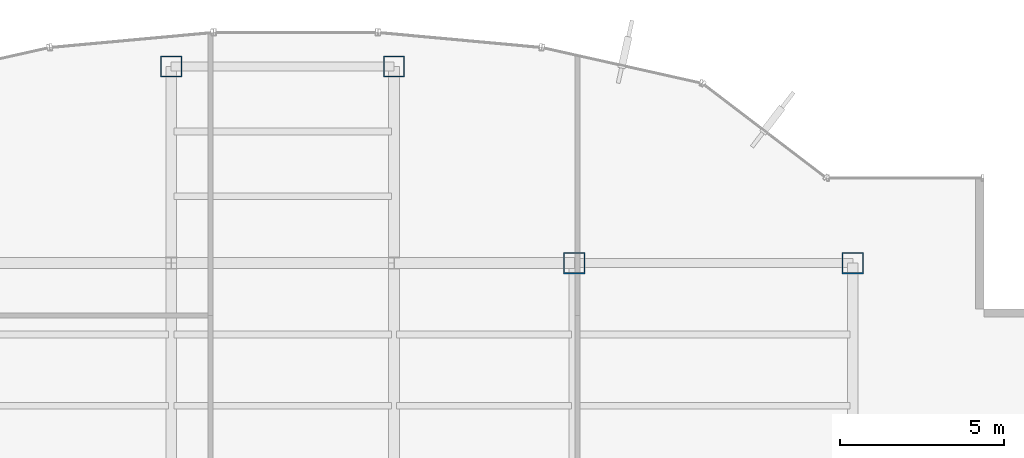
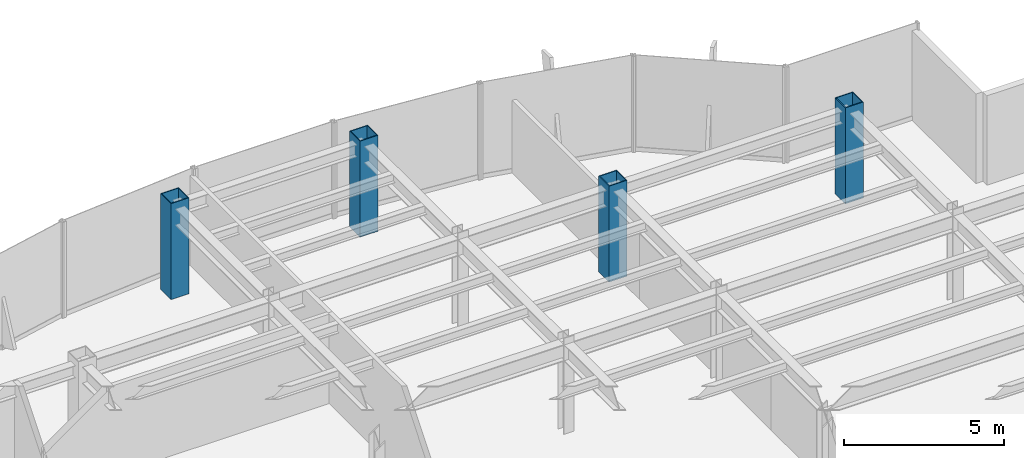
# One storey, part 2 of 25: 4 columns.
"""IFC4 building model written with IfcOpenShell, lengths in metres."""

from ifc_helpers import new_model, si_unit, derived_unit, direction, frame, origin, origin_2d, place, context, subcontext, project, spatial, hollow_rectangle, extrude, source, transform, mapped, material, material_profile, profile_set, type_object, element, save


model = new_model("IFC4")

# Units and contexts
model_context = context("Model", 3, precision=1e-05, world=origin(), true_north=direction((0.0, 1.0)))
body_context = subcontext(model_context, "Body", "Model", "MODEL_VIEW")
ifc_project = project(units=[si_unit("LENGTHUNIT", "METRE"), si_unit("AREAUNIT", "SQUARE_METRE"), si_unit("VOLUMEUNIT", "CUBIC_METRE"), si_unit("PLANEANGLEUNIT", "RADIAN"), si_unit("MASSUNIT", "GRAM", prefix="KILO"), derived_unit("THERMALTRANSMITTANCEUNIT", [(si_unit("POWERUNIT", "WATT"), 1), (si_unit("LENGTHUNIT", "METRE"), -2), (si_unit("THERMODYNAMICTEMPERATUREUNIT", "KELVIN"), -1)])], contexts=[model_context])

# Site, building, storey
site_placement = place(None, origin())
site = spatial("IfcSite", under=ifc_project, at=site_placement, CompositionType="ELEMENT")
building_placement = place(site_placement, origin())
building = spatial("IfcBuilding", under=site, at=building_placement, Name="Skarnbrae Concourse Arena and Tower", CompositionType="ELEMENT")
storey_placement = place(building_placement, frame((0.0, 0.0, 169.800048828125)))
storey = spatial("IfcBuildingStorey", under=building, at=storey_placement, Name="L43", CompositionType="ELEMENT", Elevation=169.800048828125)

# Columns
ifc_material = material(Name="Steel CSA G40.21 350W", Category="steel")
ifc_material_profile = material_profile(ifc_material, hollow_rectangle(XDim=0.64990234375, YDim=0.64990234375, WallThickness=0.031982421875, at=origin_2d()), Name="BOX650X650X32")
ifc_profile_set = profile_set([ifc_material_profile], Name="Steel CSA G40.21 350W")
column_type = type_object("IfcColumnType", Name="COL-TUBE-BOX650", PredefinedType="COLUMN", material=ifc_profile_set)
shared_shape = source(origin(), body_context, "Body", "SweptSolid", [
    extrude(hollow_rectangle(XDim=0.64990234375, YDim=0.64990234375, WallThickness=0.031982421875, at=origin_2d()), origin(), (0.0, 0.0, 1.0), 3.64990234375),
])
for number, where, z_axis, x_axis, name in (
    (1, (21.199951171875, 40.39990234375, 0.0), (0.0, 0.0, 1.0), (1.0, 0.0, 0.0), "L43 Tower column PC_04_06"),
    (2, (28.0, 40.39990234375, 0.0), (0.0, 0.0, 1.0), (1.0, 0.0, 0.0), "L43 Tower column PC_05_06"),
    (3, (33.5, 34.39990234375, 0.0), (0.0, 0.0, 1.0), (1.0, 0.0, 0.0), "L43 Tower column PC_06_05"),
    (4, (42.0, 34.39990234375, 0.0), (0.0, 0.0, 1.0), (1.0, 0.0, 0.0), "L43 Tower column PC_07_05"),
):
    element("IfcColumn", number, at=place(storey_placement, frame(where, z_axis=z_axis, x_axis=x_axis)), inside=storey, type_object=column_type, Name=name, PredefinedType="COLUMN", context=body_context, shape_type="MappedRepresentation", body=[
        mapped(shared_shape, transform((0.0, 0.0, 0.0))),
    ])

save(model, "model.ifc")
